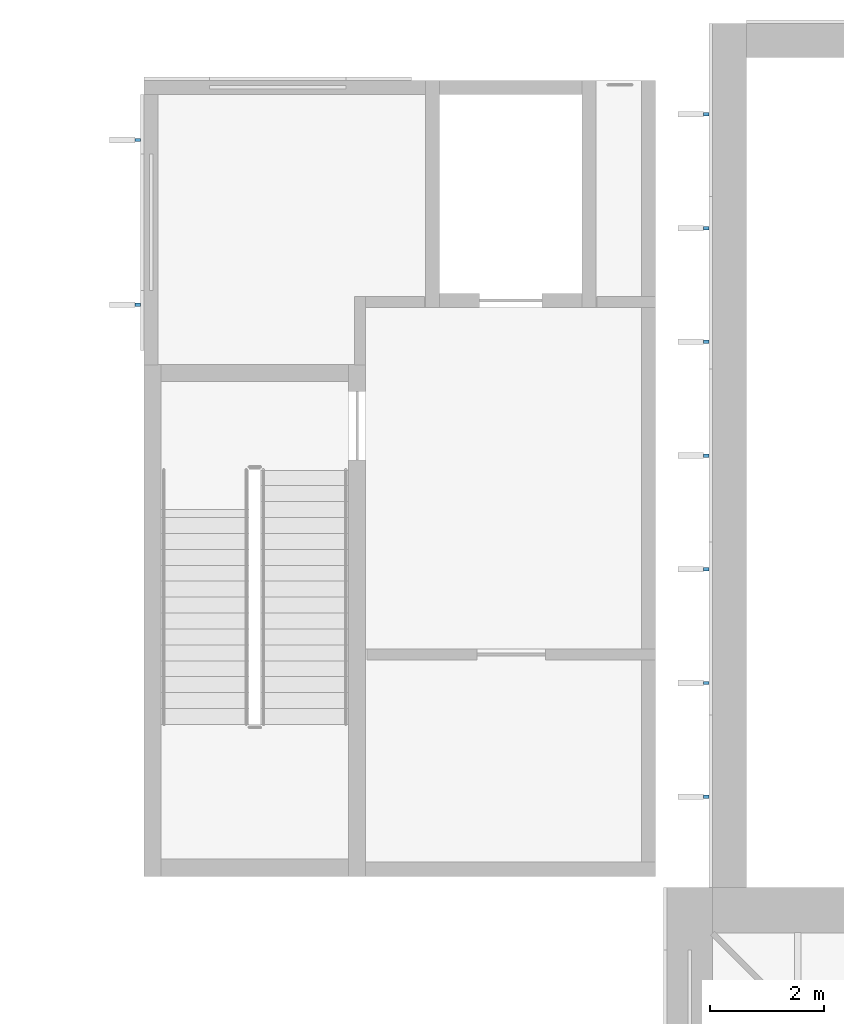
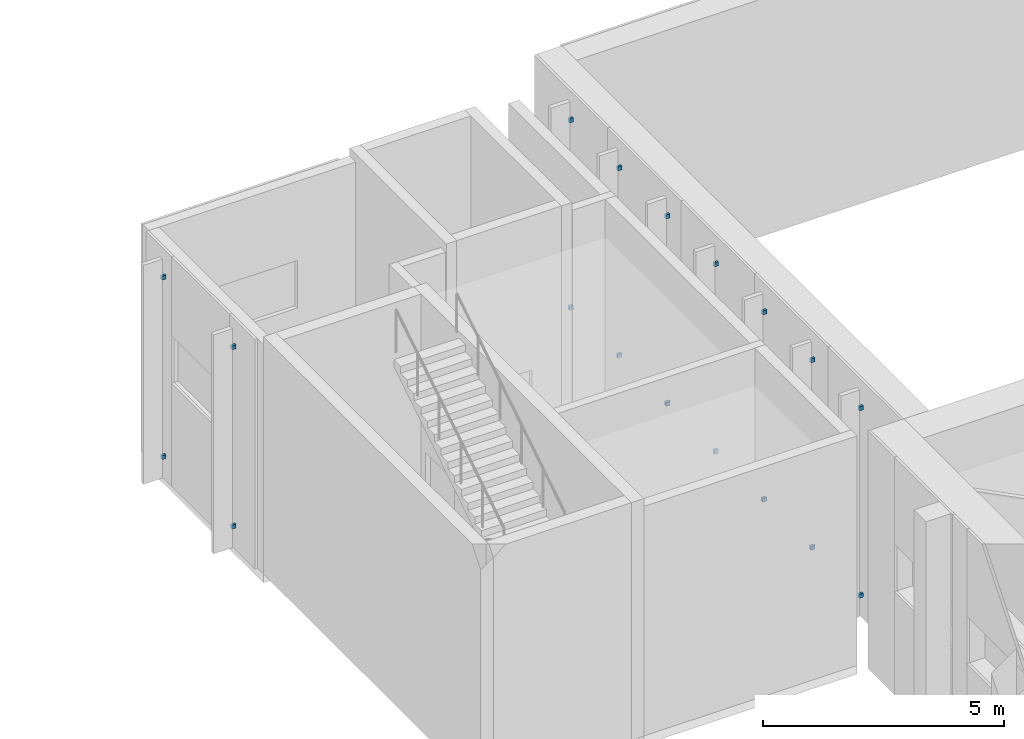
# One storey, part 17 of 22: 18 discrete accessories.
"""IFC4 building model written with IfcOpenShell, lengths in metres."""

from ifc_helpers import new_model, si_unit, direction, frame, origin, origin_2d, place, context, subcontext, project, spatial, rectangle, extrude, material, type_object, element, save


model = new_model("IFC4")

# Units and contexts
model_context = context("Model", 3, precision=1e-05, world=origin(), true_north=direction((0.0, 1.0)))
body_context = subcontext(model_context, "Body", "Model", "MODEL_VIEW")
ifc_project = project(units=[si_unit("LENGTHUNIT", "METRE"), si_unit("AREAUNIT", "SQUARE_METRE"), si_unit("VOLUMEUNIT", "CUBIC_METRE"), si_unit("PLANEANGLEUNIT", "RADIAN"), si_unit("MASSUNIT", "GRAM", prefix="KILO")], contexts=[model_context])

# Site, building, storey
site_placement = place(None, origin())
site = spatial("IfcSite", under=ifc_project, at=site_placement, CompositionType="ELEMENT")
building_placement = place(site_placement, origin())
building = spatial("IfcBuilding", under=site, at=building_placement, Name="Lunette Opera House", CompositionType="ELEMENT")
storey_placement = place(building_placement, frame((0.0, 0.0, 28.0)))
storey = spatial("IfcBuildingStorey", under=building, at=storey_placement, Name="L05", CompositionType="ELEMENT", Elevation=28.0)

# Discrete accessories
ifc_material = material(Name="Galvanised steel", Category="steel")
discrete_accessory_type = type_object("IfcDiscreteAccessoryType", Name="FIN BRACKET STEEL", PredefinedType="BRACKET", material=ifc_material)
for number, where, z_axis, x_axis, name in (
    (1, (83.889892578125, 122.39990234375, 0.56494140625), (0.0, 0.0, 1.0), (-1.0, 0.0, 0.0), "Fin bracket ST-W089 1 1"),
    (2, (83.889892578125, 122.39990234375, 5.300048828125), (0.0, 0.0, 1.0), (-1.0, 0.0, 0.0), "Fin bracket ST-W089 1 2"),
    (3, (83.889892578125, 124.39990234375, 0.56494140625), (0.0, 0.0, 1.0), (-1.0, 0.0, 0.0), "Fin bracket ST-W089 2 1"),
    (4, (83.889892578125, 124.39990234375, 5.300048828125), (0.0, 0.0, 1.0), (-1.0, 0.0, 0.0), "Fin bracket ST-W089 2 2"),
    (5, (83.889892578125, 126.39990234375, 0.56494140625), (0.0, 0.0, 1.0), (-1.0, 0.0, 0.0), "Fin bracket ST-W089 3 1"),
    (6, (83.889892578125, 126.39990234375, 5.300048828125), (0.0, 0.0, 1.0), (-1.0, 0.0, 0.0), "Fin bracket ST-W089 3 2"),
    (7, (83.889892578125, 128.39990234375, 0.56494140625), (0.0, 0.0, 1.0), (-1.0, 0.0, 0.0), "Fin bracket ST-W089 4 1"),
    (8, (83.889892578125, 128.39990234375, 5.300048828125), (0.0, 0.0, 1.0), (-1.0, 0.0, 0.0), "Fin bracket ST-W089 4 2"),
    (9, (83.889892578125, 130.39990234375, 0.56494140625), (0.0, 0.0, 1.0), (-1.0, 0.0, 0.0), "Fin bracket ST-W089 5 1"),
    (10, (83.889892578125, 130.39990234375, 5.300048828125), (0.0, 0.0, 1.0), (-1.0, 0.0, 0.0), "Fin bracket ST-W089 5 2"),
    (11, (83.889892578125, 132.39990234375, 0.56494140625), (0.0, 0.0, 1.0), (-1.0, 0.0, 0.0), "Fin bracket ST-W089 6 1"),
    (12, (83.889892578125, 132.39990234375, 5.300048828125), (0.0, 0.0, 1.0), (-1.0, 0.0, 0.0), "Fin bracket ST-W089 6 2"),
    (13, (83.889892578125, 134.39990234375, 0.56494140625), (0.0, 0.0, 1.0), (-1.0, 0.0, 0.0), "Fin bracket ST-W089 7 1"),
    (14, (83.889892578125, 134.39990234375, 5.300048828125), (0.0, 0.0, 1.0), (-1.0, 0.0, 0.0), "Fin bracket ST-W089 7 2"),
    (15, (73.889892578125, 133.949951171875, 0.56494140625), (0.0, 0.0, 1.0), (-1.0, 0.0, 0.0), "Fin bracket ST-W2042 1 1"),
    (16, (73.889892578125, 133.949951171875, 5.099853515625), (0.0, 0.0, 1.0), (-1.0, 0.0, 0.0), "Fin bracket ST-W2042 1 2"),
    (17, (73.889892578125, 131.050048828125, 0.56494140625), (0.0, 0.0, 1.0), (-1.0, 0.0, 0.0), "Fin bracket ST-W2042 2 1"),
    (18, (73.889892578125, 131.050048828125, 5.099853515625), (0.0, 0.0, 1.0), (-1.0, 0.0, 0.0), "Fin bracket ST-W2042 2 2"),
):
    element("IfcDiscreteAccessory", number, at=place(storey_placement, frame(where, z_axis=z_axis, x_axis=x_axis)), inside=storey, type_object=discrete_accessory_type, Name=name, PredefinedType="BRACKET", context=body_context, shape_type="SweptSolid", body=[
        extrude(rectangle(XDim=0.10009765625, YDim=0.06005859375, at=origin_2d()), origin(), (0.0, 0.0, 1.0), 0.10009765625),
    ])

save(model, "model.ifc")
